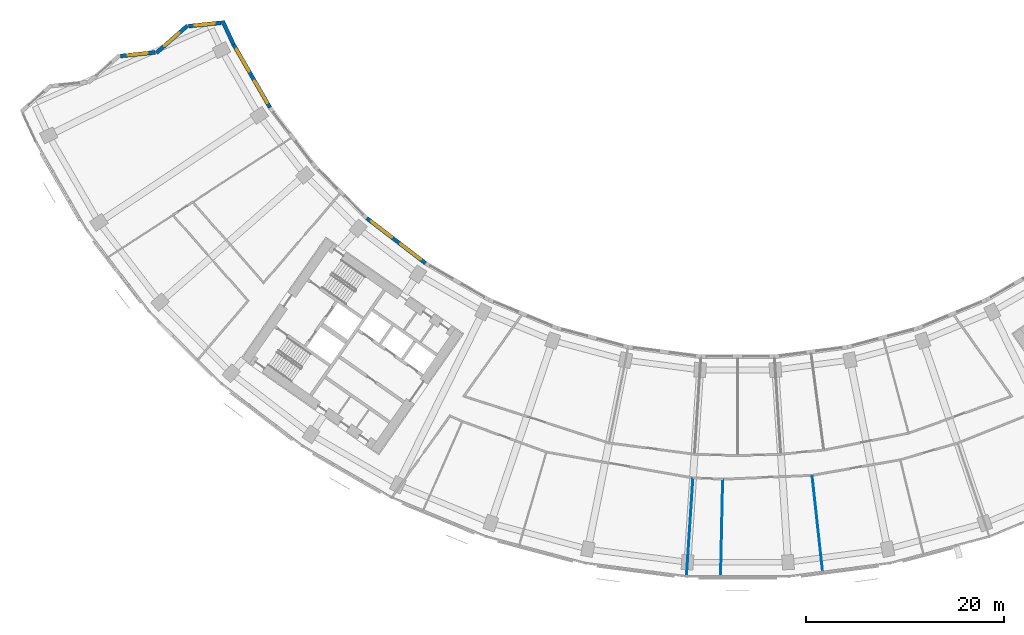
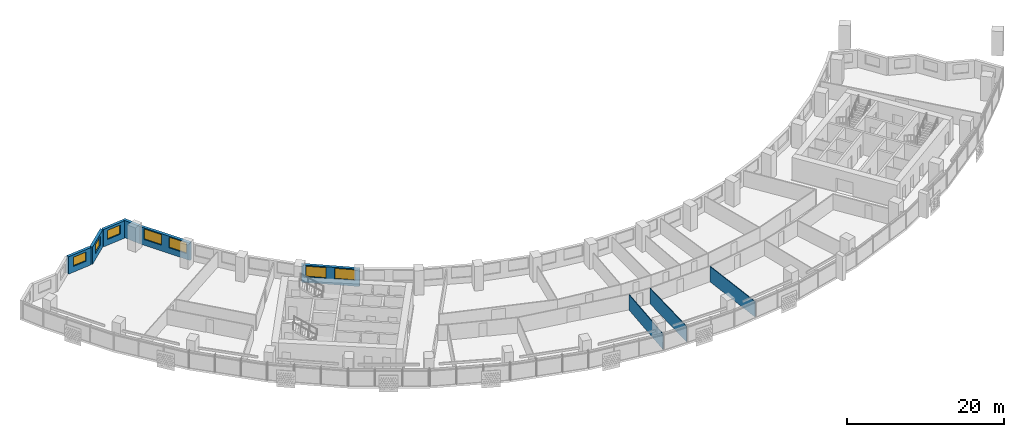
# One storey, part 5 of 29: 9 walls, 7 windows, 7 openings.
"""IFC4 building model written with IfcOpenShell, lengths in metres."""

from ifc_helpers import new_model, si_unit, direction, frame, frame_2d, origin, place, context, subcontext, project, spatial, rectangle, extrude, material, layer, layer_set, type_object, element, fill, save


model = new_model("IFC4")

# Units and contexts
model_context = context("Model", 3, precision=1e-05, world=origin(), true_north=direction((0.0, 1.0)))
body_context = subcontext(model_context, "Body", "Model", "MODEL_VIEW")
ifc_project = project(units=[si_unit("LENGTHUNIT", "METRE"), si_unit("AREAUNIT", "SQUARE_METRE"), si_unit("VOLUMEUNIT", "CUBIC_METRE"), si_unit("PLANEANGLEUNIT", "RADIAN"), si_unit("MASSUNIT", "GRAM", prefix="KILO")], contexts=[model_context])

# Site, building, storey
site_placement = place(None, origin())
site = spatial("IfcSite", under=ifc_project, at=site_placement, CompositionType="ELEMENT")
building_placement = place(site_placement, origin())
building = spatial("IfcBuilding", under=site, at=building_placement, Name="Qamariyya Broadcast Tower", CompositionType="ELEMENT")
storey_placement = place(building_placement, frame((0.0, 0.0, 136.699951171875)))
storey = spatial("IfcBuildingStorey", under=building, at=storey_placement, Name="L31", CompositionType="ELEMENT", Elevation=136.699951171875)

# Walls
ifc_material_1 = material(Name="Gypsum board partition")
ifc_layer_1 = layer(ifc_material_1, 0.10009765625)
ifc_layer_set_1 = layer_set([ifc_layer_1], Name="Partition 100")
wall_type_1 = type_object("IfcWallType", Name="Partition 100", PredefinedType="PARTITIONING", material=ifc_layer_set_1)
wall_1_placement = place(storey_placement, frame((-5.17333984375, -78.9306640625, 0.0), z_axis=(0.0, 0.0, 1.0), x_axis=(0.065402415744, 0.997858970003, 0.0)))
element("IfcWall", 1, at=wall_1_placement, inside=storey, type_object=wall_type_1, Name="Partition L31-018", PredefinedType="PARTITIONING", context=body_context, shape_type="SweptSolid", body=[
    extrude(rectangle(XDim=9.824951171875, YDim=0.10009765625, at=frame_2d((4.91259765625, 0.0))), origin(), (0.0, 0.0, 1.0), 2.400146484375),
])
for number, where, z_axis, x_axis, name in (
    (2, (-1.724365234375, -78.93017578125, 0.0), (0.0, 0.0, 1.0), (0.021829960086, 0.999761698027, 0.0), "Partition L31-022"),
    (3, (8.5927734375, -78.47998046875, 0.0), (0.0, 0.0, 1.0), (-0.10884699726, 0.994058514972, 0.0), "Partition L31-030"),
):
    element("IfcWall", number, at=place(storey_placement, frame(where, z_axis=z_axis, x_axis=x_axis)), inside=storey, type_object=wall_type_1, Name=name, PredefinedType="PARTITIONING", context=body_context, shape_type="SweptSolid", body=[
        extrude(rectangle(XDim=9.673828125, YDim=0.10009765625, at=frame_2d((4.8369140625, 0.0))), origin(), (0.0, 0.0, 1.0), 2.400146484375),
    ])

# Wall, opening, window
ifc_material_2 = material(Name="Terracotta", Category="masonry")
ifc_layer_2 = layer(ifc_material_2, 0.39990234375)
ifc_layer_set_2 = layer_set([ifc_layer_2], Name="Terracotta clad wall 400")
wall_type_2 = type_object("IfcWallType", Name="Terracotta clad wall 400", PredefinedType="SOLIDWALL", material=ifc_layer_set_2)
wall_2_placement = place(storey_placement, frame((-52.3046875, -22.99365234375, 0.0), z_axis=(0.0, 0.0, 1.0), x_axis=(-0.99464222414, -0.103377202314, 0.0)))
wall_2 = element("IfcWall", 4, at=wall_2_placement, inside=storey, type_object=wall_type_2, Name="e-wl-L31-capW0", PredefinedType="SOLIDWALL", context=body_context, shape_type="SweptSolid", body=[
    extrude(rectangle(XDim=3.275634765625, YDim=0.39990234375, at=frame_2d((1.6376953125, 0.0))), origin(), (0.0, 0.0, 1.0), 2.699951171875),
])
opening_1_placement = place(wall_2_placement, frame((0.6376953125, 0.0, 0.89990234375)))
opening_1 = element("IfcOpeningElement", 5, at=opening_1_placement, cuts=wall_2, Name="Opening W4", PredefinedType="OPENING", context=body_context, shape_type="SweptSolid", body=[
    extrude(rectangle(XDim=2.0, YDim=1.425048828125, at=frame_2d((1.0, 0.71240234375))), frame((0.0, 0.2099609375, 0.0), z_axis=(0.0, -1.0, 0.0), x_axis=(1.0, 0.0, 0.0)), (0.0, 0.0, 1.0), 0.419921875),
])
ifc_material_3 = material(Name="Clear low-e double glazed unit in aluminium frame", Category="aluminium")
window_type_1 = type_object("IfcWindowType", Name="Horn bay window 2000 x 1425", PartitioningType="SINGLE_PANEL", PredefinedType="WINDOW", material=ifc_material_3)
window_1_placement = place(opening_1_placement, origin())
window_1 = element("IfcWindow", 6, at=window_1_placement, inside=storey, type_object=window_type_1, Name="e-w-L31-capW0", OverallHeight=1.425048828125, OverallWidth=2.0, PartitioningType="SINGLE_PANEL", PredefinedType="WINDOW", context=body_context, shape_type="SweptSolid", body=[
    extrude(rectangle(XDim=2.0, YDim=1.425048828125, at=frame_2d((1.0, 0.71240234375))), frame((0.0, 0.030029296875, 0.0), z_axis=(0.0, -1.0, 0.0), x_axis=(1.0, 0.0, 0.0)), (0.0, 0.0, 1.0), 0.06005859375),
])
fill(opening_1, window_1)

wall_3_placement = place(storey_placement, frame((-55.684326171875, -23.278076171875, 0.0), z_axis=(0.0, 0.0, 1.0), x_axis=(-0.751508491951, -0.659723416687, 0.0)))
wall_3 = element("IfcWall", 7, at=wall_3_placement, inside=storey, type_object=wall_type_2, Name="e-wl-L31-capW1", PredefinedType="SOLIDWALL", context=body_context, shape_type="SweptSolid", body=[
    extrude(rectangle(XDim=4.194580078125, YDim=0.39990234375, at=frame_2d((2.09716796875, 0.0))), origin(), (0.0, 0.0, 1.0), 2.699951171875),
])
opening_2_placement = place(wall_3_placement, frame((1.09716796875, 0.0, 0.89990234375)))
opening_2 = element("IfcOpeningElement", 8, at=opening_2_placement, cuts=wall_3, Name="Opening W4", PredefinedType="OPENING", context=body_context, shape_type="SweptSolid", body=[
    extrude(rectangle(XDim=2.0, YDim=1.425048828125, at=frame_2d((1.0, 0.71240234375))), frame((0.0, 0.2099609375, 0.0), z_axis=(0.0, -1.0, 0.0), x_axis=(1.0, 0.0, 0.0)), (0.0, 0.0, 1.0), 0.419921875),
])
window_2_placement = place(opening_2_placement, origin())
window_2 = element("IfcWindow", 9, at=window_2_placement, inside=storey, type_object=window_type_1, Name="e-w-L31-capW1", OverallHeight=1.425048828125, OverallWidth=2.0, PartitioningType="SINGLE_PANEL", PredefinedType="WINDOW", context=body_context, shape_type="SweptSolid", body=[
    extrude(rectangle(XDim=2.0, YDim=1.425048828125, at=frame_2d((1.0, 0.71240234375))), frame((0.0, 0.030029296875, 0.0), z_axis=(0.0, -1.0, 0.0), x_axis=(1.0, 0.0, 0.0)), (0.0, 0.0, 1.0), 0.06005859375),
])
fill(opening_2, window_2)

wall_4_placement = place(storey_placement, frame((-58.958251953125, -25.9912109375, 0.0), z_axis=(0.0, 0.0, 1.0), x_axis=(-0.994630744707, -0.103487591935, 0.0)))
wall_4 = element("IfcWall", 10, at=wall_4_placement, inside=storey, type_object=wall_type_2, Name="e-wl-L31-capW2", PredefinedType="SOLIDWALL", context=body_context, shape_type="SweptSolid", body=[
    extrude(rectangle(XDim=3.524658203125, YDim=0.39990234375, at=frame_2d((1.76220703125, 0.0))), origin(), (0.0, 0.0, 1.0), 2.699951171875),
])
opening_3_placement = place(wall_4_placement, frame((0.762451171875, 0.0, 0.89990234375)))
opening_3 = element("IfcOpeningElement", 11, at=opening_3_placement, cuts=wall_4, Name="Opening W4", PredefinedType="OPENING", context=body_context, shape_type="SweptSolid", body=[
    extrude(rectangle(XDim=2.0, YDim=1.425048828125, at=frame_2d((1.0, 0.71240234375))), frame((0.0, 0.2099609375, 0.0), z_axis=(0.0, -1.0, 0.0), x_axis=(1.0, 0.0, 0.0)), (0.0, 0.0, 1.0), 0.419921875),
])
window_3_placement = place(opening_3_placement, origin())
window_3 = element("IfcWindow", 12, at=window_3_placement, inside=storey, type_object=window_type_1, Name="e-w-L31-capW2", OverallHeight=1.425048828125, OverallWidth=2.0, PartitioningType="SINGLE_PANEL", PredefinedType="WINDOW", context=body_context, shape_type="SweptSolid", body=[
    extrude(rectangle(XDim=2.0, YDim=1.425048828125, at=frame_2d((1.0, 0.71240234375))), frame((0.0, 0.030029296875, 0.0), z_axis=(0.0, -1.0, 0.0), x_axis=(1.0, 0.0, 0.0)), (0.0, 0.0, 1.0), 0.06005859375),
])
fill(opening_3, window_3)

# Wall
wall_5_placement = place(storey_placement, frame((-51.02392578125, -25.183837890625, 0.0), z_axis=(0.0, 0.0, 1.0), x_axis=(-0.421941591732, 0.906623016014, 0.0)))
element("IfcWall", 13, at=wall_5_placement, inside=storey, type_object=wall_type_2, Name="e-wl-L31-in00", PredefinedType="SOLIDWALL", context=body_context, shape_type="SweptSolid", body=[
    extrude(rectangle(XDim=2.634521484375, YDim=0.39990234375, at=frame_2d((1.3173828125, 0.0))), origin(), (0.0, 0.0, 1.0), 2.699951171875),
])

# Wall, openings, windows
wall_6_placement = place(storey_placement, frame((-47.33642578125, -31.568359375, 0.0), z_axis=(0.0, 0.0, 1.0), x_axis=(-0.499994443168, 0.866028611999, 0.0)))
wall_6 = element("IfcWall", 14, at=wall_6_placement, inside=storey, type_object=wall_type_2, Name="e-wl-L31-in10", PredefinedType="SOLIDWALL", context=body_context, shape_type="SweptSolid", body=[
    extrude(rectangle(XDim=7.35546875, YDim=0.39990234375, at=frame_2d((3.677734375, 0.0))), origin(), (0.0, 0.0, 1.0), 2.699951171875),
])
opening_4_placement = place(wall_6_placement, frame((4.224853515625, 0.0, 0.89990234375)))
opening_4 = element("IfcOpeningElement", 15, at=opening_4_placement, cuts=wall_6, Name="Opening W1", PredefinedType="OPENING", context=body_context, shape_type="SweptSolid", body=[
    extrude(rectangle(XDim=2.60009765625, YDim=1.64990234375, at=frame_2d((1.300048828125, 0.824951171875))), frame((0.0, 0.2099609375, 0.0), z_axis=(0.0, -1.0, 0.0), x_axis=(1.0, 0.0, 0.0)), (0.0, 0.0, 1.0), 0.419921875),
])
opening_5_placement = place(wall_6_placement, frame((0.5166015625, 0.0, 0.89990234375)))
opening_5 = element("IfcOpeningElement", 16, at=opening_5_placement, cuts=wall_6, Name="Opening W1", PredefinedType="OPENING", context=body_context, shape_type="SweptSolid", body=[
    extrude(rectangle(XDim=2.60009765625, YDim=1.64990234375, at=frame_2d((1.300048828125, 0.824951171875))), frame((0.0, 0.2099609375, 0.0), z_axis=(0.0, -1.0, 0.0), x_axis=(1.0, 0.0, 0.0)), (0.0, 0.0, 1.0), 0.419921875),
])
window_type_2 = type_object("IfcWindowType", Name="Ribbon window 2600 x 1650", PartitioningType="SINGLE_PANEL", PredefinedType="WINDOW", material=ifc_material_3)
window_4_placement = place(opening_4_placement, origin())
window_4 = element("IfcWindow", 17, at=window_4_placement, inside=storey, type_object=window_type_2, Name="e-w-L31-in01-0", OverallHeight=1.64990234375, OverallWidth=2.60009765625, PartitioningType="SINGLE_PANEL", PredefinedType="WINDOW", context=body_context, shape_type="SweptSolid", body=[
    extrude(rectangle(XDim=2.60009765625, YDim=1.64990234375, at=frame_2d((1.300048828125, 0.824951171875))), frame((0.0, 0.030029296875, 0.0), z_axis=(0.0, -1.0, 0.0), x_axis=(1.0, 0.0, 0.0)), (0.0, 0.0, 1.0), 0.06005859375),
])
fill(opening_4, window_4)
window_5_placement = place(opening_5_placement, origin())
window_5 = element("IfcWindow", 18, at=window_5_placement, inside=storey, type_object=window_type_2, Name="e-w-L31-in01-1", OverallHeight=1.64990234375, OverallWidth=2.60009765625, PartitioningType="SINGLE_PANEL", PredefinedType="WINDOW", context=body_context, shape_type="SweptSolid", body=[
    extrude(rectangle(XDim=2.60009765625, YDim=1.64990234375, at=frame_2d((1.300048828125, 0.824951171875))), frame((0.0, 0.030029296875, 0.0), z_axis=(0.0, -1.0, 0.0), x_axis=(1.0, 0.0, 0.0)), (0.0, 0.0, 1.0), 0.06005859375),
])
fill(opening_5, window_5)

wall_7_placement = place(storey_placement, frame((-31.59228515625, -47.326171875, 0.0), z_axis=(0.0, 0.0, 1.0), x_axis=(-0.793363487476, 0.608748204711, 0.0)))
wall_7 = element("IfcWall", 19, at=wall_7_placement, inside=storey, type_object=wall_type_2, Name="e-wl-L31-in40", PredefinedType="SOLIDWALL", context=body_context, shape_type="SweptSolid", body=[
    extrude(rectangle(XDim=7.492919921875, YDim=0.39990234375, at=frame_2d((3.74658203125, 0.0))), origin(), (0.0, 0.0, 1.0), 2.699951171875),
])
opening_6_placement = place(wall_7_placement, frame((4.300537109375, 0.0, 0.89990234375)))
opening_6 = element("IfcOpeningElement", 20, at=opening_6_placement, cuts=wall_7, Name="Opening W1", PredefinedType="OPENING", context=body_context, shape_type="SweptSolid", body=[
    extrude(rectangle(XDim=2.60009765625, YDim=1.64990234375, at=frame_2d((1.300048828125, 0.824951171875))), frame((0.0, 0.2099609375, 0.0), z_axis=(0.0, -1.0, 0.0), x_axis=(1.0, 0.0, 0.0)), (0.0, 0.0, 1.0), 0.419921875),
])
opening_7_placement = place(wall_7_placement, frame((0.59228515625, 0.0, 0.89990234375)))
opening_7 = element("IfcOpeningElement", 21, at=opening_7_placement, cuts=wall_7, Name="Opening W1", PredefinedType="OPENING", context=body_context, shape_type="SweptSolid", body=[
    extrude(rectangle(XDim=2.60009765625, YDim=1.64990234375, at=frame_2d((1.300048828125, 0.824951171875))), frame((0.0, 0.2099609375, 0.0), z_axis=(0.0, -1.0, 0.0), x_axis=(1.0, 0.0, 0.0)), (0.0, 0.0, 1.0), 0.419921875),
])
window_6_placement = place(opening_6_placement, origin())
window_6 = element("IfcWindow", 22, at=window_6_placement, inside=storey, type_object=window_type_2, Name="e-w-L31-in04-0", OverallHeight=1.64990234375, OverallWidth=2.60009765625, PartitioningType="SINGLE_PANEL", PredefinedType="WINDOW", context=body_context, shape_type="SweptSolid", body=[
    extrude(rectangle(XDim=2.60009765625, YDim=1.64990234375, at=frame_2d((1.300048828125, 0.824951171875))), frame((0.0, 0.030029296875, 0.0), z_axis=(0.0, -1.0, 0.0), x_axis=(1.0, 0.0, 0.0)), (0.0, 0.0, 1.0), 0.06005859375),
])
fill(opening_6, window_6)
window_7_placement = place(opening_7_placement, origin())
window_7 = element("IfcWindow", 23, at=window_7_placement, inside=storey, type_object=window_type_2, Name="e-w-L31-in04-1", OverallHeight=1.64990234375, OverallWidth=2.60009765625, PartitioningType="SINGLE_PANEL", PredefinedType="WINDOW", context=body_context, shape_type="SweptSolid", body=[
    extrude(rectangle(XDim=2.60009765625, YDim=1.64990234375, at=frame_2d((1.300048828125, 0.824951171875))), frame((0.0, 0.030029296875, 0.0), z_axis=(0.0, -1.0, 0.0), x_axis=(1.0, 0.0, 0.0)), (0.0, 0.0, 1.0), 0.06005859375),
])
fill(opening_7, window_7)

save(model, "model.ifc")
